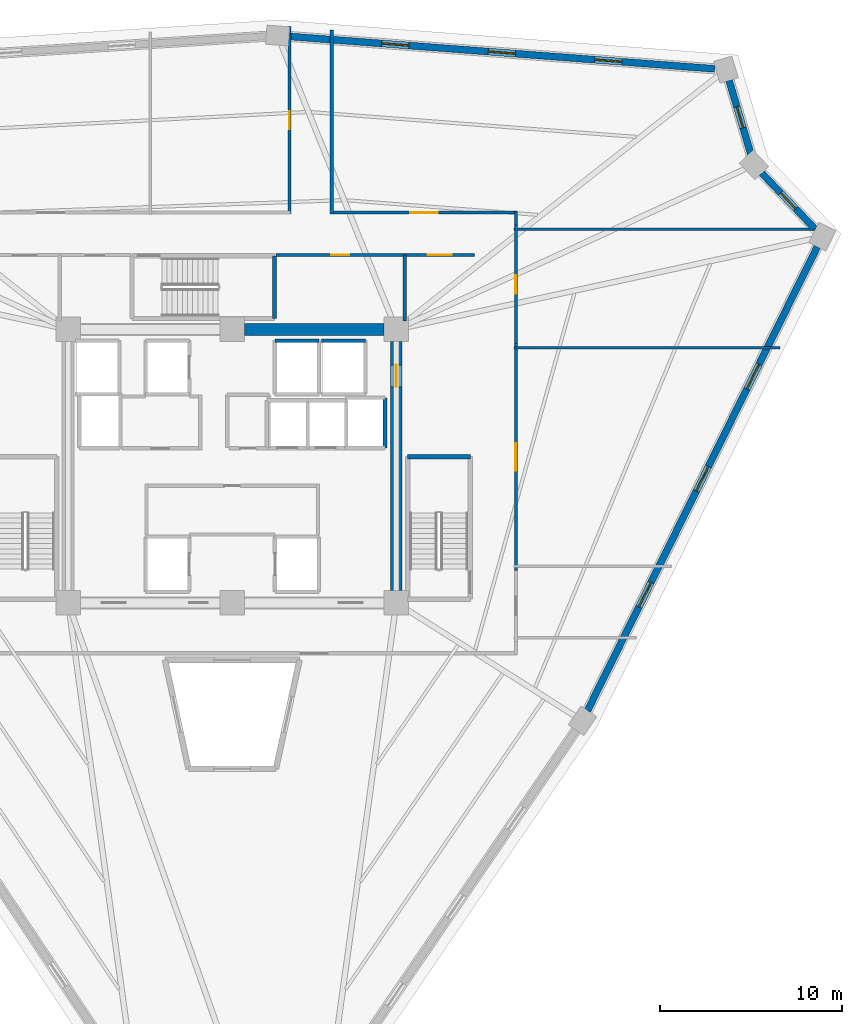
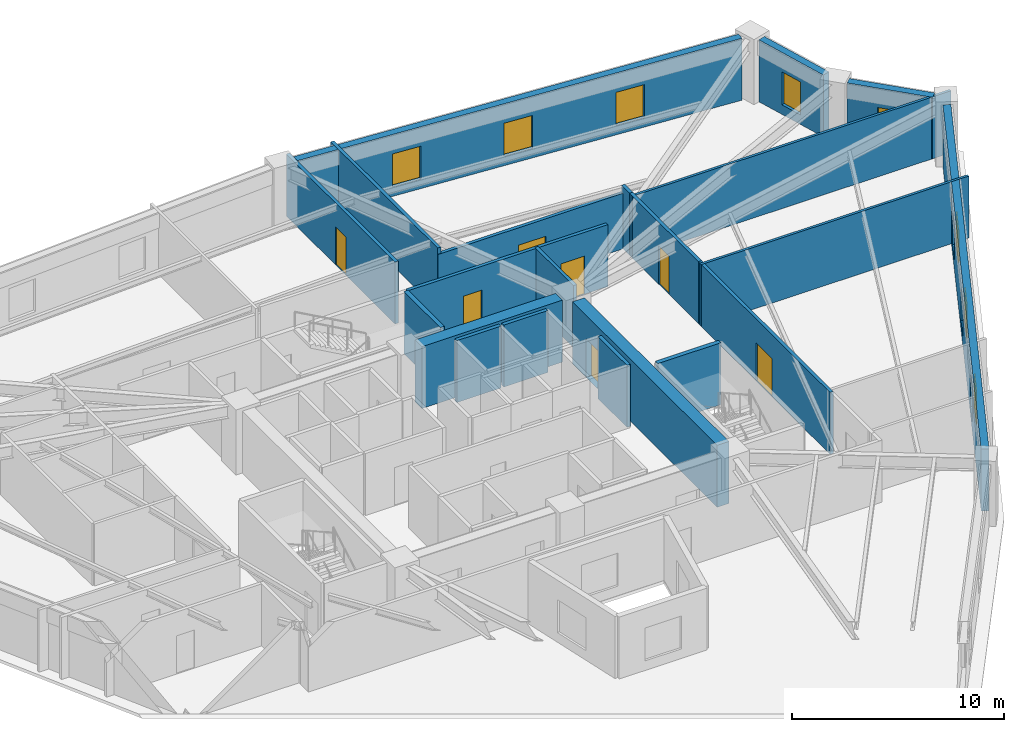
# One storey, part 6 of 8: 22 walls, 8 windows, 7 doors, 15 openings.
"""IFC4 building model written with IfcOpenShell, lengths in metres."""

from ifc_helpers import new_model, si_unit, direction, frame, frame_2d, origin, place, context, subcontext, project, spatial, rectangle, extrude, source, transform, mapped, material, layer, layer_set, type_object, element, fill, save


model = new_model("IFC4")

# Units and contexts
model_context = context("Model", 3, precision=1e-05, world=origin(), true_north=direction((0.0, 1.0)))
body_context = subcontext(model_context, "Body", "Model", "MODEL_VIEW")
ifc_project = project(units=[si_unit("LENGTHUNIT", "METRE"), si_unit("AREAUNIT", "SQUARE_METRE"), si_unit("VOLUMEUNIT", "CUBIC_METRE"), si_unit("PLANEANGLEUNIT", "RADIAN"), si_unit("MASSUNIT", "GRAM", prefix="KILO")], contexts=[model_context])

# Site, building, storey
site_placement = place(None, origin())
site = spatial("IfcSite", under=ifc_project, at=site_placement, CompositionType="ELEMENT")
building_placement = place(site_placement, origin())
building = spatial("IfcBuilding", under=site, at=building_placement, Name="Liaohun Quay Tower", CompositionType="ELEMENT")
storey_placement = place(building_placement, frame((0.0, 0.0, 240.0)))
storey = spatial("IfcBuildingStorey", under=building, at=storey_placement, Name="L62", CompositionType="ELEMENT", Elevation=240.0)

# Wall
ifc_material_1 = material(Name="Concrete C55", Category="concrete")
ifc_layer_1 = layer(ifc_material_1, 0.64990234375, Name="Concrete C55", Category="concrete")
ifc_layer_set_1 = layer_set([ifc_layer_1], Name="Concrete C55")
wall_type_1 = type_object("IfcWallType", Name="WAL-COR-Z3", PredefinedType="SHEAR", material=ifc_layer_set_1)
wall_1_placement = place(storey_placement, frame((60.675048828125, 61.5, 0.0), z_axis=(0.0, 0.0, 1.0), x_axis=(1.0, 0.0, 0.0)))
element("IfcWall", 1, at=wall_1_placement, inside=storey, type_object=wall_type_1, Name="L62 Central Core Shear Wall N-E", PredefinedType="SHEAR", context=body_context, shape_type="SweptSolid", body=[
    extrude(rectangle(XDim=7.64990234375, YDim=0.64990234375, at=frame_2d((3.824951171875, 0.0))), origin(), (0.0, 0.0, 1.0), 3.570068359375),
])

# Wall, opening, door
wall_2_placement = place(storey_placement, frame((69.0, 60.824951171875, 0.0), z_axis=(0.0, 0.0, 1.0), x_axis=(0.0, -1.0, 0.0)))
wall_2 = element("IfcWall", 2, at=wall_2_placement, inside=storey, type_object=wall_type_1, Name="L62 Central Core Shear Wall E", PredefinedType="SHEAR", context=body_context, shape_type="SweptSolid", body=[
    extrude(rectangle(XDim=13.64990234375, YDim=0.64990234375, at=frame_2d((6.824951171875, 0.0))), origin(), (0.0, 0.0, 1.0), 3.570068359375),
])
shared_shape_1 = source(origin(), body_context, "Body", "SweptSolid", [
    extrude(rectangle(XDim=1.199951171875, YDim=2.199951171875, at=frame_2d((0.60009765625, 1.10009765625))), frame((0.0, 0.3349609375, 0.0), z_axis=(0.0, -1.0, 0.0), x_axis=(1.0, 0.0, 0.0)), (0.0, 0.0, 1.0), 0.669921875),
])
opening_1_placement = place(wall_2_placement, frame((1.27490234375, 0.0, 0.0)))
opening_1 = element("IfcOpeningElement", 3, at=opening_1_placement, cuts=wall_2, Name="Opening SD1", PredefinedType="OPENING", context=body_context, shape_type="MappedRepresentation", body=[
    mapped(shared_shape_1, transform((0.0, 0.0, 0.0), x_axis=(1.0, 0.0, 0.0), y_axis=(0.0, 1.0, 0.0), z_axis=(0.0, 0.0, 1.0), scale=1.0)),
])
ifc_material_2 = material(Name="Galvanised steel fire door", Category="steel")
door_type_1 = type_object("IfcDoorType", Name="DOR-STR-1200", OperationType="NOTDEFINED", PredefinedType="DOOR", material=ifc_material_2)
shared_shape_2 = source(origin(), body_context, "Body", "SweptSolid", [
    extrude(rectangle(XDim=1.199951171875, YDim=2.199951171875, at=frame_2d((0.60009765625, 1.10009765625))), frame((0.0, 0.02490234375, 0.0), z_axis=(0.0, -1.0, 0.0), x_axis=(1.0, 0.0, 0.0)), (0.0, 0.0, 1.0), 0.050048828125),
])
door_1_placement = place(opening_1_placement, origin())
door_1 = element("IfcDoor", 4, at=door_1_placement, inside=storey, type_object=door_type_1, Name="L62 North-East Core Lobby Smokeproof Door", OperationType="SINGLE_SWING_LEFT", OverallHeight=2.199951171875, OverallWidth=1.199951171875, PredefinedType="DOOR", context=body_context, shape_type="MappedRepresentation", body=[
    mapped(shared_shape_2, transform((0.0, 0.0, 0.0), x_axis=(1.0, 0.0, 0.0), y_axis=(0.0, 1.0, 0.0), z_axis=(0.0, 0.0, 1.0), scale=1.0)),
])
fill(opening_1, door_1)

# Wall, openings, windows
ifc_material_3 = material(Name="Precast concrete C50 insulated sandwich", Category="concrete")
ifc_layer_2 = layer(ifc_material_3, 0.3798828125, Name="Precast concrete C50 insulated sandwich", Category="concrete")
ifc_layer_set_2 = layer_set([ifc_layer_2], Name="Precast concrete C50 insulated sandwich")
wall_type_2 = type_object("IfcWallType", Name="WAL-EXT-Z34", PredefinedType="SOLIDWALL", material=ifc_layer_set_2)
wall_3_placement = place(storey_placement, frame((79.48291015625, 40.5849609375, 0.0), z_axis=(0.0, 0.0, 1.0), x_axis=(0.444016540866, 0.896018588779, 0.0)))
wall_3 = element("IfcWall", 5, at=wall_3_placement, inside=storey, type_object=wall_type_2, Name="L62 Brutalist Precast Pier Wall 03", PredefinedType="SOLIDWALL", context=body_context, shape_type="SweptSolid", body=[
    extrude(rectangle(XDim=28.40234375, YDim=0.3798828125, at=frame_2d((14.201171875, 0.0))), origin(), (0.0, 0.0, 1.0), 3.570068359375),
])
shared_shape_3 = source(origin(), body_context, "Body", "SweptSolid", [
    extrude(rectangle(XDim=1.5, YDim=1.89990234375, at=frame_2d((0.75, 0.949951171875))), frame((0.0, 0.199951171875, 0.0), z_axis=(0.0, -1.0, 0.0), x_axis=(1.0, 0.0, 0.0)), (0.0, 0.0, 1.0), 0.39990234375),
])
opening_2_placement = place(wall_3_placement, frame((6.35107421875, 0.0, 0.550048828125)))
opening_2 = element("IfcOpeningElement", 6, at=opening_2_placement, cuts=wall_3, Name="Opening W03", PredefinedType="OPENING", context=body_context, shape_type="MappedRepresentation", body=[
    mapped(shared_shape_3, transform((0.0, 0.0, 0.0), x_axis=(1.0, 0.0, 0.0), y_axis=(0.0, 1.0, 0.0), z_axis=(0.0, 0.0, 1.0), scale=1.0)),
])
opening_3_placement = place(wall_3_placement, frame((13.450927734375, 0.0, 0.550048828125)))
opening_3 = element("IfcOpeningElement", 7, at=opening_3_placement, cuts=wall_3, Name="Opening W03", PredefinedType="OPENING", context=body_context, shape_type="MappedRepresentation", body=[
    mapped(shared_shape_3, transform((0.0, 0.0, 0.0), x_axis=(1.0, 0.0, 0.0), y_axis=(0.0, 1.0, 0.0), z_axis=(0.0, 0.0, 1.0), scale=1.0)),
])
opening_4_placement = place(wall_3_placement, frame((19.701904296875, 0.0, 0.550048828125)))
opening_4 = element("IfcOpeningElement", 8, at=opening_4_placement, cuts=wall_3, Name="Opening W03", PredefinedType="OPENING", context=body_context, shape_type="MappedRepresentation", body=[
    mapped(shared_shape_3, transform((0.0, 0.0, 0.0), x_axis=(1.0, 0.0, 0.0), y_axis=(0.0, 1.0, 0.0), z_axis=(0.0, 0.0, 1.0), scale=1.0)),
])
ifc_material_4 = material(Name="Triple Low-E argon glazing in thermally broken aluminium", Category="aluminium")
window_type_1 = type_object("IfcWindowType", Name="WIN-PUN-Z3", PartitioningType="DOUBLE_PANEL_VERTICAL", PredefinedType="WINDOW", material=ifc_material_4)
shared_shape_4 = source(origin(), body_context, "Body", "SweptSolid", [
    extrude(rectangle(XDim=1.5, YDim=1.89990234375, at=frame_2d((0.75, 0.949951171875))), frame((0.0, 0.030029296875, 0.0), z_axis=(0.0, -1.0, 0.0), x_axis=(1.0, 0.0, 0.0)), (0.0, 0.0, 1.0), 0.06005859375),
])
window_1_placement = place(opening_2_placement, origin())
window_1 = element("IfcWindow", 9, at=window_1_placement, inside=storey, type_object=window_type_1, Name="L62 Recessed Cold-Climate Punched Window 03-1", OverallHeight=1.89990234375, OverallWidth=1.5, PartitioningType="DOUBLE_PANEL_VERTICAL", PredefinedType="WINDOW", context=body_context, shape_type="MappedRepresentation", body=[
    mapped(shared_shape_4, transform((0.0, 0.0, 0.0), x_axis=(1.0, 0.0, 0.0), y_axis=(0.0, 1.0, 0.0), z_axis=(0.0, 0.0, 1.0), scale=1.0)),
])
fill(opening_2, window_1)
window_2_placement = place(opening_3_placement, origin())
window_2 = element("IfcWindow", 10, at=window_2_placement, inside=storey, type_object=window_type_1, Name="L62 Recessed Cold-Climate Punched Window 03-2", OverallHeight=1.89990234375, OverallWidth=1.5, PartitioningType="DOUBLE_PANEL_VERTICAL", PredefinedType="WINDOW", context=body_context, shape_type="MappedRepresentation", body=[
    mapped(shared_shape_4, transform((0.0, 0.0, 0.0), x_axis=(1.0, 0.0, 0.0), y_axis=(0.0, 1.0, 0.0), z_axis=(0.0, 0.0, 1.0), scale=1.0)),
])
fill(opening_3, window_2)
window_3_placement = place(opening_4_placement, origin())
window_3 = element("IfcWindow", 11, at=window_3_placement, inside=storey, type_object=window_type_1, Name="L62 Recessed Cold-Climate Punched Window 03-3", OverallHeight=1.89990234375, OverallWidth=1.5, PartitioningType="DOUBLE_PANEL_VERTICAL", PredefinedType="WINDOW", context=body_context, shape_type="MappedRepresentation", body=[
    mapped(shared_shape_4, transform((0.0, 0.0, 0.0), x_axis=(1.0, 0.0, 0.0), y_axis=(0.0, 1.0, 0.0), z_axis=(0.0, 0.0, 1.0), scale=1.0)),
])
fill(opening_4, window_3)

# Wall, opening, window
wall_4_placement = place(storey_placement, frame((91.943115234375, 67.031005859375, 0.0), z_axis=(0.0, 0.0, 1.0), x_axis=(-0.689450799111, 0.724332517291, 0.0)))
wall_4 = element("IfcWall", 12, at=wall_4_placement, inside=storey, type_object=wall_type_2, Name="L62 Brutalist Precast Pier Wall 04", PredefinedType="SOLIDWALL", context=body_context, shape_type="SweptSolid", body=[
    extrude(rectangle(XDim=4.20654296875, YDim=0.3798828125, at=frame_2d((2.103271484375, 0.0))), origin(), (0.0, 0.0, 1.0), 3.570068359375),
])
shared_shape_5 = source(origin(), body_context, "Body", "SweptSolid", [
    extrude(rectangle(XDim=1.199951171875, YDim=1.89990234375, at=frame_2d((0.60009765625, 0.949951171875))), frame((0.0, 0.199951171875, 0.0), z_axis=(0.0, -1.0, 0.0), x_axis=(1.0, 0.0, 0.0)), (0.0, 0.0, 1.0), 0.39990234375),
])
opening_5_placement = place(wall_4_placement, frame((1.5029296875, 0.0, 0.550048828125)))
opening_5 = element("IfcOpeningElement", 13, at=opening_5_placement, cuts=wall_4, Name="Opening W05", PredefinedType="OPENING", context=body_context, shape_type="MappedRepresentation", body=[
    mapped(shared_shape_5, transform((0.0, 0.0, 0.0), x_axis=(1.0, 0.0, 0.0), y_axis=(0.0, 1.0, 0.0), z_axis=(0.0, 0.0, 1.0), scale=1.0)),
])
ifc_material_5 = material(Name="Triple Low-E corner notch glazing", Category="glass")
window_type_2 = type_object("IfcWindowType", Name="WIN-NOTCH", PartitioningType="SINGLE_PANEL", PredefinedType="WINDOW", material=ifc_material_5)
shared_shape_6 = source(origin(), body_context, "Body", "SweptSolid", [
    extrude(rectangle(XDim=1.199951171875, YDim=1.89990234375, at=frame_2d((0.60009765625, 0.949951171875))), frame((0.0, 0.030029296875, 0.0), z_axis=(0.0, -1.0, 0.0), x_axis=(1.0, 0.0, 0.0)), (0.0, 0.0, 1.0), 0.06005859375),
])
window_4_placement = place(opening_5_placement, origin())
window_4 = element("IfcWindow", 14, at=window_4_placement, inside=storey, type_object=window_type_2, Name="L62 Corner Notch Window W05-04", OverallHeight=1.89990234375, OverallWidth=1.199951171875, PartitioningType="SINGLE_PANEL", PredefinedType="WINDOW", context=body_context, shape_type="MappedRepresentation", body=[
    mapped(shared_shape_6, transform((0.0, 0.0, 0.0), x_axis=(1.0, 0.0, 0.0), y_axis=(0.0, 1.0, 0.0), z_axis=(0.0, 0.0, 1.0), scale=1.0)),
])
fill(opening_5, window_4)

wall_5_placement = place(storey_placement, frame((88.445068359375, 71.114013671875, 0.0), z_axis=(0.0, 0.0, 1.0), x_axis=(-0.282677574057, 0.959214985874, 0.0)))
wall_5 = element("IfcWall", 15, at=wall_5_placement, inside=storey, type_object=wall_type_2, Name="L62 Brutalist Precast Pier Wall 05", PredefinedType="SOLIDWALL", context=body_context, shape_type="SweptSolid", body=[
    extrude(rectangle(XDim=4.2138671875, YDim=0.3798828125, at=frame_2d((2.10693359375, 0.0))), origin(), (0.0, 0.0, 1.0), 3.570068359375),
])
opening_6_placement = place(wall_5_placement, frame((1.507080078125, 0.0, 0.550048828125)))
opening_6 = element("IfcOpeningElement", 16, at=opening_6_placement, cuts=wall_5, Name="Opening W05", PredefinedType="OPENING", context=body_context, shape_type="MappedRepresentation", body=[
    mapped(shared_shape_5, transform((0.0, 0.0, 0.0), x_axis=(1.0, 0.0, 0.0), y_axis=(0.0, 1.0, 0.0), z_axis=(0.0, 0.0, 1.0), scale=1.0)),
])
window_5_placement = place(opening_6_placement, origin())
window_5 = element("IfcWindow", 17, at=window_5_placement, inside=storey, type_object=window_type_2, Name="L62 Corner Notch Window W05-05", OverallHeight=1.89990234375, OverallWidth=1.199951171875, PartitioningType="SINGLE_PANEL", PredefinedType="WINDOW", context=body_context, shape_type="MappedRepresentation", body=[
    mapped(shared_shape_6, transform((0.0, 0.0, 0.0), x_axis=(1.0, 0.0, 0.0), y_axis=(0.0, 1.0, 0.0), z_axis=(0.0, 0.0, 1.0), scale=1.0)),
])
fill(opening_6, window_5)

# Wall, openings, windows
wall_6_placement = place(storey_placement, frame((86.467041015625, 75.79296875, 0.0), z_axis=(0.0, 0.0, 1.0), x_axis=(-0.997110119143, 0.075969798617, 0.0)))
wall_6 = element("IfcWall", 18, at=wall_6_placement, inside=storey, type_object=wall_type_2, Name="L62 Brutalist Precast Pier Wall 06", PredefinedType="SOLIDWALL", context=body_context, shape_type="SweptSolid", body=[
    extrude(rectangle(XDim=23.4306640625, YDim=0.3798828125, at=frame_2d((11.71533203125, 0.0))), origin(), (0.0, 0.0, 1.0), 3.570068359375),
])
opening_7_placement = place(wall_6_placement, frame((5.10791015625, 0.0, 0.550048828125)))
opening_7 = element("IfcOpeningElement", 19, at=opening_7_placement, cuts=wall_6, Name="Opening W03", PredefinedType="OPENING", context=body_context, shape_type="MappedRepresentation", body=[
    mapped(shared_shape_3, transform((0.0, 0.0, 0.0), x_axis=(1.0, 0.0, 0.0), y_axis=(0.0, 1.0, 0.0), z_axis=(0.0, 0.0, 1.0), scale=1.0)),
])
opening_8_placement = place(wall_6_placement, frame((10.965087890625, 0.0, 0.550048828125)))
opening_8 = element("IfcOpeningElement", 20, at=opening_8_placement, cuts=wall_6, Name="Opening W03", PredefinedType="OPENING", context=body_context, shape_type="MappedRepresentation", body=[
    mapped(shared_shape_3, transform((0.0, 0.0, 0.0), x_axis=(1.0, 0.0, 0.0), y_axis=(0.0, 1.0, 0.0), z_axis=(0.0, 0.0, 1.0), scale=1.0)),
])
opening_9_placement = place(wall_6_placement, frame((16.822998046875, 0.0, 0.550048828125)))
opening_9 = element("IfcOpeningElement", 21, at=opening_9_placement, cuts=wall_6, Name="Opening W03", PredefinedType="OPENING", context=body_context, shape_type="MappedRepresentation", body=[
    mapped(shared_shape_3, transform((0.0, 0.0, 0.0), x_axis=(1.0, 0.0, 0.0), y_axis=(0.0, 1.0, 0.0), z_axis=(0.0, 0.0, 1.0), scale=1.0)),
])
window_6_placement = place(opening_7_placement, origin())
window_6 = element("IfcWindow", 22, at=window_6_placement, inside=storey, type_object=window_type_1, Name="L62 Recessed Cold-Climate Punched Window 06-1", OverallHeight=1.89990234375, OverallWidth=1.5, PartitioningType="DOUBLE_PANEL_VERTICAL", PredefinedType="WINDOW", context=body_context, shape_type="MappedRepresentation", body=[
    mapped(shared_shape_4, transform((0.0, 0.0, 0.0), x_axis=(1.0, 0.0, 0.0), y_axis=(0.0, 1.0, 0.0), z_axis=(0.0, 0.0, 1.0), scale=1.0)),
])
fill(opening_7, window_6)
window_7_placement = place(opening_8_placement, origin())
window_7 = element("IfcWindow", 23, at=window_7_placement, inside=storey, type_object=window_type_1, Name="L62 Recessed Cold-Climate Punched Window 06-2", OverallHeight=1.89990234375, OverallWidth=1.5, PartitioningType="DOUBLE_PANEL_VERTICAL", PredefinedType="WINDOW", context=body_context, shape_type="MappedRepresentation", body=[
    mapped(shared_shape_4, transform((0.0, 0.0, 0.0), x_axis=(1.0, 0.0, 0.0), y_axis=(0.0, 1.0, 0.0), z_axis=(0.0, 0.0, 1.0), scale=1.0)),
])
fill(opening_8, window_7)
window_8_placement = place(opening_9_placement, origin())
window_8 = element("IfcWindow", 24, at=window_8_placement, inside=storey, type_object=window_type_1, Name="L62 Recessed Cold-Climate Punched Window 06-3", OverallHeight=1.89990234375, OverallWidth=1.5, PartitioningType="DOUBLE_PANEL_VERTICAL", PredefinedType="WINDOW", context=body_context, shape_type="MappedRepresentation", body=[
    mapped(shared_shape_4, transform((0.0, 0.0, 0.0), x_axis=(1.0, 0.0, 0.0), y_axis=(0.0, 1.0, 0.0), z_axis=(0.0, 0.0, 1.0), scale=1.0)),
])
fill(opening_9, window_8)

# Wall, opening, door
ifc_material_6 = material(Name="Autoclaved aerated concrete blockwork", Category="masonry")
ifc_layer_3 = layer(ifc_material_6, 0.179931640625, Name="Autoclaved aerated concrete blockwork", Category="masonry")
ifc_layer_set_3 = layer_set([ifc_layer_3], Name="Autoclaved aerated concrete blockwork")
wall_type_3 = type_object("IfcWallType", Name="WAL-PRT-COR", PredefinedType="PARTITIONING", material=ifc_layer_set_3)
wall_7_placement = place(storey_placement, frame((62.389892578125, 65.580078125, 0.0), z_axis=(0.0, 0.0, 1.0), x_axis=(1.0, 0.0, 0.0)))
wall_7 = element("IfcWall", 25, at=wall_7_placement, inside=storey, type_object=wall_type_3, Name="L62 Interior Partition Wall 008", PredefinedType="PARTITIONING", context=body_context, shape_type="SweptSolid", body=[
    extrude(rectangle(XDim=7.070068359375, YDim=0.179931640625, at=frame_2d((3.53515625, 0.0))), origin(), (0.0, 0.0, 1.0), 3.570068359375),
])
shared_shape_7 = source(origin(), body_context, "Body", "SweptSolid", [
    extrude(rectangle(XDim=1.0, YDim=2.199951171875, at=frame_2d((0.5, 1.10009765625))), frame((0.0, 0.099853515625, 0.0), z_axis=(0.0, -1.0, 0.0), x_axis=(1.0, 0.0, 0.0)), (0.0, 0.0, 1.0), 0.199951171875),
])
opening_10_placement = place(wall_7_placement, frame((3.034912109375, 0.0, 0.0)))
opening_10 = element("IfcOpeningElement", 26, at=opening_10_placement, cuts=wall_7, Name="Opening OD1", PredefinedType="OPENING", context=body_context, shape_type="MappedRepresentation", body=[
    mapped(shared_shape_7, transform((0.0, 0.0, 0.0), x_axis=(1.0, 0.0, 0.0), y_axis=(0.0, 1.0, 0.0), z_axis=(0.0, 0.0, 1.0), scale=1.0)),
])
ifc_material_7 = material(Name="Solid-core oak veneer timber leaf in steel frame", Category="steel")
door_type_2 = type_object("IfcDoorType", Name="DOR-OFF-1000", OperationType="NOTDEFINED", PredefinedType="DOOR", material=ifc_material_7)
shared_shape_8 = source(origin(), body_context, "Body", "SweptSolid", [
    extrude(rectangle(XDim=1.0, YDim=2.199951171875, at=frame_2d((0.5, 1.10009765625))), frame((0.0, 0.02490234375, 0.0), z_axis=(0.0, -1.0, 0.0), x_axis=(1.0, 0.0, 0.0)), (0.0, 0.0, 1.0), 0.050048828125),
])
door_2_placement = place(opening_10_placement, origin())
door_2 = element("IfcDoor", 27, at=door_2_placement, inside=storey, type_object=door_type_2, Name="L62 North-East Archive and Mail Room Door", OperationType="SINGLE_SWING_RIGHT", OverallHeight=2.199951171875, OverallWidth=1.0, PredefinedType="DOOR", context=body_context, shape_type="MappedRepresentation", body=[
    mapped(shared_shape_8, transform((0.0, 0.0, 0.0), x_axis=(1.0, 0.0, 0.0), y_axis=(0.0, 1.0, 0.0), z_axis=(0.0, 0.0, 1.0), scale=1.0)),
])
fill(opening_10, door_2)

wall_8_placement = place(storey_placement, frame((69.4599609375, 65.580078125, 0.0), z_axis=(0.0, 0.0, 1.0), x_axis=(1.0, 0.0, 0.0)))
wall_8 = element("IfcWall", 28, at=wall_8_placement, inside=storey, type_object=wall_type_3, Name="L62 Interior Partition Wall 010", PredefinedType="PARTITIONING", context=body_context, shape_type="SweptSolid", body=[
    extrude(rectangle(XDim=3.840087890625, YDim=0.179931640625, at=frame_2d((1.919921875, 0.0))), origin(), (0.0, 0.0, 1.0), 3.570068359375),
])
shared_shape_9 = source(origin(), body_context, "Body", "SweptSolid", [
    extrude(rectangle(XDim=1.300048828125, YDim=2.199951171875, at=frame_2d((0.64990234375, 1.10009765625))), frame((0.0, 0.099853515625, 0.0), z_axis=(0.0, -1.0, 0.0), x_axis=(1.0, 0.0, 0.0)), (0.0, 0.0, 1.0), 0.199951171875),
])
opening_11_placement = place(wall_8_placement, frame((1.27001953125, 0.0, 0.0)))
opening_11 = element("IfcOpeningElement", 29, at=opening_11_placement, cuts=wall_8, Name="Opening FD1", PredefinedType="OPENING", context=body_context, shape_type="MappedRepresentation", body=[
    mapped(shared_shape_9, transform((0.0, 0.0, 0.0), x_axis=(1.0, 0.0, 0.0), y_axis=(0.0, 1.0, 0.0), z_axis=(0.0, 0.0, 1.0), scale=1.0)),
])
ifc_material_8 = material(Name="Galvanised steel smokeproof fire door", Category="steel")
door_type_3 = type_object("IfcDoorType", Name="DOR-FFL-1300", OperationType="NOTDEFINED", PredefinedType="DOOR", material=ifc_material_8)
shared_shape_10 = source(origin(), body_context, "Body", "SweptSolid", [
    extrude(rectangle(XDim=1.300048828125, YDim=2.199951171875, at=frame_2d((0.64990234375, 1.10009765625))), frame((0.0, 0.02490234375, 0.0), z_axis=(0.0, -1.0, 0.0), x_axis=(1.0, 0.0, 0.0)), (0.0, 0.0, 1.0), 0.050048828125),
])
door_3_placement = place(opening_11_placement, origin())
door_3 = element("IfcDoor", 30, at=door_3_placement, inside=storey, type_object=door_type_3, Name="L62 East Core Vestibule Door", OperationType="SINGLE_SWING_RIGHT", OverallHeight=2.199951171875, OverallWidth=1.300048828125, PredefinedType="DOOR", context=body_context, shape_type="MappedRepresentation", body=[
    mapped(shared_shape_10, transform((0.0, 0.0, 0.0), x_axis=(1.0, 0.0, 0.0), y_axis=(0.0, 1.0, 0.0), z_axis=(0.0, 0.0, 1.0), scale=1.0)),
])
fill(opening_11, door_3)

wall_9_placement = place(storey_placement, frame((75.56005859375, 60.715087890625, 0.0), z_axis=(0.0, 0.0, 1.0), x_axis=(0.0, -1.0, 0.0)))
wall_9 = element("IfcWall", 31, at=wall_9_placement, inside=storey, type_object=wall_type_3, Name="L62 Interior Partition Wall 011", PredefinedType="PARTITIONING", context=body_context, shape_type="SweptSolid", body=[
    extrude(rectangle(XDim=12.43017578125, YDim=0.179931640625, at=frame_2d((6.215087890625, 0.0))), origin(), (0.0, 0.0, 1.0), 3.570068359375),
])
shared_shape_11 = source(origin(), body_context, "Body", "SweptSolid", [
    extrude(rectangle(XDim=1.5, YDim=2.199951171875, at=frame_2d((0.75, 1.10009765625))), frame((0.0, 0.099853515625, 0.0), z_axis=(0.0, -1.0, 0.0), x_axis=(1.0, 0.0, 0.0)), (0.0, 0.0, 1.0), 0.199951171875),
])
opening_12_placement = place(wall_9_placement, frame((5.465087890625, 0.0, 0.0)))
opening_12 = element("IfcOpeningElement", 32, at=opening_12_placement, cuts=wall_9, Name="Opening OD2", PredefinedType="OPENING", context=body_context, shape_type="MappedRepresentation", body=[
    mapped(shared_shape_11, transform((0.0, 0.0, 0.0), x_axis=(1.0, 0.0, 0.0), y_axis=(0.0, 1.0, 0.0), z_axis=(0.0, 0.0, 1.0), scale=1.0)),
])
ifc_material_9 = material(Name="Acoustic oak veneer double door")
door_type_4 = type_object("IfcDoorType", Name="DOR-OFF-1500", OperationType="DOUBLE_DOOR_SINGLE_SWING", PredefinedType="DOOR", material=ifc_material_9)
shared_shape_12 = source(origin(), body_context, "Body", "SweptSolid", [
    extrude(rectangle(XDim=1.5, YDim=2.199951171875, at=frame_2d((0.75, 1.10009765625))), frame((0.0, 0.02490234375, 0.0), z_axis=(0.0, -1.0, 0.0), x_axis=(1.0, 0.0, 0.0)), (0.0, 0.0, 1.0), 0.050048828125),
])
door_4_placement = place(opening_12_placement, origin())
door_4 = element("IfcDoor", 33, at=door_4_placement, inside=storey, type_object=door_type_4, Name="L62 Digital Prototyping Laboratory 01 Door", OperationType="DOUBLE_DOOR_SINGLE_SWING", OverallHeight=2.199951171875, OverallWidth=1.5, PredefinedType="DOOR", context=body_context, shape_type="MappedRepresentation", body=[
    mapped(shared_shape_12, transform((0.0, 0.0, 0.0), x_axis=(1.0, 0.0, 0.0), y_axis=(0.0, 1.0, 0.0), z_axis=(0.0, 0.0, 1.0), scale=1.0)),
])
fill(opening_12, door_4)

wall_10_placement = place(storey_placement, frame((75.56005859375, 67.215087890625, 0.0), z_axis=(0.0, 0.0, 1.0), x_axis=(0.0, -1.0, 0.0)))
wall_10 = element("IfcWall", 34, at=wall_10_placement, inside=storey, type_object=wall_type_3, Name="L62 Interior Partition Wall 012", PredefinedType="PARTITIONING", context=body_context, shape_type="SweptSolid", body=[
    extrude(rectangle(XDim=6.5, YDim=0.179931640625, at=frame_2d((3.25, 0.0))), origin(), (0.0, 0.0, 1.0), 3.570068359375),
])
opening_13_placement = place(wall_10_placement, frame((2.75, 0.0, 0.0)))
opening_13 = element("IfcOpeningElement", 35, at=opening_13_placement, cuts=wall_10, Name="Opening OD1", PredefinedType="OPENING", context=body_context, shape_type="MappedRepresentation", body=[
    mapped(shared_shape_7, transform((0.0, 0.0, 0.0), x_axis=(1.0, 0.0, 0.0), y_axis=(0.0, 1.0, 0.0), z_axis=(0.0, 0.0, 1.0), scale=1.0)),
])
door_5_placement = place(opening_13_placement, origin())
door_5 = element("IfcDoor", 36, at=door_5_placement, inside=storey, type_object=door_type_2, Name="L62 Engineering Model Workshop 02 Door", OperationType="SINGLE_SWING_RIGHT", OverallHeight=2.199951171875, OverallWidth=1.0, PredefinedType="DOOR", context=body_context, shape_type="MappedRepresentation", body=[
    mapped(shared_shape_8, transform((0.0, 0.0, 0.0), x_axis=(1.0, 0.0, 0.0), y_axis=(0.0, 1.0, 0.0), z_axis=(0.0, 0.0, 1.0), scale=1.0)),
])
fill(opening_13, door_5)

wall_11_placement = place(storey_placement, frame((65.389892578125, 67.909912109375, 0.0), z_axis=(0.0, 0.0, 1.0), x_axis=(1.0, 0.0, 0.0)))
wall_11 = element("IfcWall", 37, at=wall_11_placement, inside=storey, type_object=wall_type_3, Name="L62 Interior Partition Wall 013", PredefinedType="PARTITIONING", context=body_context, shape_type="SweptSolid", body=[
    extrude(rectangle(XDim=10.239990234375, YDim=0.179931640625, at=frame_2d((5.1201171875, 0.0))), origin(), (0.0, 0.0, 1.0), 3.205078125),
])
opening_14_placement = place(wall_11_placement, frame((4.3701171875, 0.0, 0.0)))
opening_14 = element("IfcOpeningElement", 38, at=opening_14_placement, cuts=wall_11, Name="Opening OD2", PredefinedType="OPENING", context=body_context, shape_type="MappedRepresentation", body=[
    mapped(shared_shape_11, transform((0.0, 0.0, 0.0), x_axis=(1.0, 0.0, 0.0), y_axis=(0.0, 1.0, 0.0), z_axis=(0.0, 0.0, 1.0), scale=1.0)),
])
door_6_placement = place(opening_14_placement, origin())
door_6 = element("IfcDoor", 39, at=door_6_placement, inside=storey, type_object=door_type_4, Name="L62 Digital Prototyping Laboratory 03 Door", OperationType="DOUBLE_DOOR_SINGLE_SWING", OverallHeight=2.199951171875, OverallWidth=1.5, PredefinedType="DOOR", context=body_context, shape_type="MappedRepresentation", body=[
    mapped(shared_shape_12, transform((0.0, 0.0, 0.0), x_axis=(1.0, 0.0, 0.0), y_axis=(0.0, 1.0, 0.0), z_axis=(0.0, 0.0, 1.0), scale=1.0)),
])
fill(opening_14, door_6)

wall_12_placement = place(storey_placement, frame((63.139892578125, 67.840087890625, 0.0), z_axis=(0.0, 0.0, 1.0), x_axis=(0.0, 1.0, 0.0)))
wall_12 = element("IfcWall", 40, at=wall_12_placement, inside=storey, type_object=wall_type_3, Name="L62 Interior Partition Wall 014", PredefinedType="PARTITIONING", context=body_context, shape_type="SweptSolid", body=[
    extrude(rectangle(XDim=10.27197265625, YDim=0.179931640625, at=frame_2d((5.135986328125, 0.0))), origin(), (0.0, 0.0, 1.0), 3.570068359375),
])
opening_15_placement = place(wall_12_placement, frame((4.635986328125, 0.0, 0.0)))
opening_15 = element("IfcOpeningElement", 41, at=opening_15_placement, cuts=wall_12, Name="Opening OD1", PredefinedType="OPENING", context=body_context, shape_type="MappedRepresentation", body=[
    mapped(shared_shape_7, transform((0.0, 0.0, 0.0), x_axis=(1.0, 0.0, 0.0), y_axis=(0.0, 1.0, 0.0), z_axis=(0.0, 0.0, 1.0), scale=1.0)),
])
door_7_placement = place(opening_15_placement, origin())
door_7 = element("IfcDoor", 42, at=door_7_placement, inside=storey, type_object=door_type_2, Name="L62 Project Collaboration Studio 04 Door", OperationType="SINGLE_SWING_RIGHT", OverallHeight=2.199951171875, OverallWidth=1.0, PredefinedType="DOOR", context=body_context, shape_type="MappedRepresentation", body=[
    mapped(shared_shape_8, transform((0.0, 0.0, 0.0), x_axis=(1.0, 0.0, 0.0), y_axis=(0.0, 1.0, 0.0), z_axis=(0.0, 0.0, 1.0), scale=1.0)),
])
fill(opening_15, door_7)

# Walls
wall_13_placement = place(storey_placement, frame((69.4599609375, 61.949951171875, 0.0), z_axis=(0.0, 0.0, 1.0), x_axis=(0.0, 1.0, 0.0)))
element("IfcWall", 43, at=wall_13_placement, inside=storey, type_object=wall_type_3, Name="L62 Interior Partition Wall 030", PredefinedType="PARTITIONING", context=body_context, shape_type="SweptSolid", body=[
    extrude(rectangle(XDim=3.630126953125, YDim=0.179931640625, at=frame_2d((1.81494140625, 0.0))), origin(), (0.0, 0.0, 1.0), 3.570068359375),
])
wall_14_placement = place(storey_placement, frame((65.4599609375, 77.93505859375, 0.0), z_axis=(0.0, 0.0, 1.0), x_axis=(0.0, -1.0, 0.0)))
element("IfcWall", 44, at=wall_14_placement, inside=storey, type_object=wall_type_3, Name="L62 Interior Partition Wall 031", PredefinedType="PARTITIONING", context=body_context, shape_type="SweptSolid", body=[
    extrude(rectangle(XDim=10.094970703125, YDim=0.179931640625, at=frame_2d((5.04736328125, 0.0))), origin(), (0.0, 0.0, 1.0), 3.570068359375),
])
wall_15_placement = place(storey_placement, frame((75.56005859375, 67.97998046875, 0.0), z_axis=(0.0, 0.0, 1.0), x_axis=(0.0, -1.0, 0.0)))
element("IfcWall", 45, at=wall_15_placement, inside=storey, type_object=wall_type_3, Name="L62 Interior Partition Wall 032", PredefinedType="PARTITIONING", context=body_context, shape_type="SweptSolid", body=[
    extrude(rectangle(XDim=0.764892578125, YDim=0.179931640625, at=frame_2d((0.38232421875, 0.0))), origin(), (0.0, 0.0, 1.0), 3.570068359375),
])
ifc_material_10 = material(Name="Gypsum board on twin steel studs", Category="steel")
ifc_layer_4 = layer(ifc_material_10, 0.139892578125, Name="Gypsum board on twin steel studs", Category="steel")
ifc_layer_set_4 = layer_set([ifc_layer_4], Name="Gypsum board on twin steel studs")
wall_type_4 = type_object("IfcWallType", Name="WAL-PRT-OFF", PredefinedType="PARTITIONING", material=ifc_layer_set_4)
wall_16_placement = place(storey_placement, frame((75.4599609375, 60.5, 0.0), z_axis=(0.0, 0.0, 1.0), x_axis=(1.0, 0.0, 0.0)))
element("IfcWall", 46, at=wall_16_placement, inside=storey, type_object=wall_type_4, Name="L62 Interior Partition Wall 045", PredefinedType="PARTITIONING", context=body_context, shape_type="SweptSolid", body=[
    extrude(rectangle(XDim=14.594970703125, YDim=0.139892578125, at=frame_2d((7.29736328125, 0.0))), origin(), (0.0, 0.0, 1.0), 3.570068359375),
])
wall_17_placement = place(storey_placement, frame((75.4599609375, 67.0, 0.0), z_axis=(0.0, 0.0, 1.0), x_axis=(1.0, 0.0, 0.0)))
element("IfcWall", 47, at=wall_17_placement, inside=storey, type_object=wall_type_4, Name="L62 Interior Partition Wall 046", PredefinedType="PARTITIONING", context=body_context, shape_type="SweptSolid", body=[
    extrude(rectangle(XDim=17.382080078125, YDim=0.139892578125, at=frame_2d((8.69091796875, 0.0))), origin(), (0.0, 0.0, 1.0), 3.570068359375),
])
ifc_material_11 = material(Name="Concrete C50", Category="concrete")
ifc_layer_5 = layer(ifc_material_11, 0.239990234375, Name="Concrete C50", Category="concrete")
ifc_layer_set_5 = layer_set([ifc_layer_5], Name="Concrete C50")
wall_type_5 = type_object("IfcWallType", Name="WAL-SHF-200", PredefinedType="SOLIDWALL", material=ifc_layer_set_5)
for number, where, z_axis, x_axis, name in (
    (48, (73.06005859375, 54.52001953125, 0.0), (0.0, 0.0, 1.0), (-1.0, 0.0, 0.0), "L62 Stairwell ST-2 Structural Core Wall N"),
    (49, (62.320068359375, 62.10009765625, 0.0), (0.0, 0.0, 1.0), (0.0, 1.0, 0.0), "L62 Stairwell ST-3 Structural Core Wall E"),
):
    element("IfcWall", number, at=place(storey_placement, frame(where, z_axis=z_axis, x_axis=x_axis)), inside=storey, type_object=wall_type_5, Name=name, PredefinedType="SOLIDWALL", context=body_context, shape_type="SweptSolid", body=[
        extrude(rectangle(XDim=3.43994140625, YDim=0.239990234375, at=frame_2d((1.719970703125, 0.0))), origin(), (0.0, 0.0, 1.0), 3.570068359375),
    ])
wall_18_placement = place(storey_placement, frame((64.75, 60.8798828125, 0.0), z_axis=(0.0, 0.0, 1.0), x_axis=(-1.0, 0.0, 0.0)))
element("IfcWall", 50, at=wall_18_placement, inside=storey, type_object=wall_type_5, Name="L62 Lift OB-01 Hoistway Wall N", PredefinedType="SOLIDWALL", context=body_context, shape_type="SweptSolid", body=[
    extrude(rectangle(XDim=2.39990234375, YDim=0.199951171875, at=frame_2d((1.199951171875, 0.0))), origin(), (0.0, 0.0, 1.0), 3.570068359375),
])
wall_19_placement = place(storey_placement, frame((67.300048828125, 60.8798828125, 0.0), z_axis=(0.0, 0.0, 1.0), x_axis=(-1.0, 0.0, 0.0)))
element("IfcWall", 51, at=wall_19_placement, inside=storey, type_object=wall_type_5, Name="L62 Lift OB-02 Hoistway Wall N", PredefinedType="SOLIDWALL", context=body_context, shape_type="SweptSolid", body=[
    extrude(rectangle(XDim=2.400146484375, YDim=0.199951171875, at=frame_2d((1.2001953125, 0.0))), origin(), (0.0, 0.0, 1.0), 3.570068359375),
])
wall_20_placement = place(storey_placement, frame((68.3798828125, 55.0, 0.0), z_axis=(0.0, 0.0, 1.0), x_axis=(0.0, 1.0, 0.0)))
element("IfcWall", 52, at=wall_20_placement, inside=storey, type_object=wall_type_5, Name="L62 Lift SH-03 Hoistway Wall E", PredefinedType="SOLIDWALL", context=body_context, shape_type="SweptSolid", body=[
    extrude(rectangle(XDim=2.75, YDim=0.199951171875, at=frame_2d((1.375, 0.0))), origin(), (0.0, 0.0, 1.0), 3.570068359375),
])

save(model, "model.ifc")
